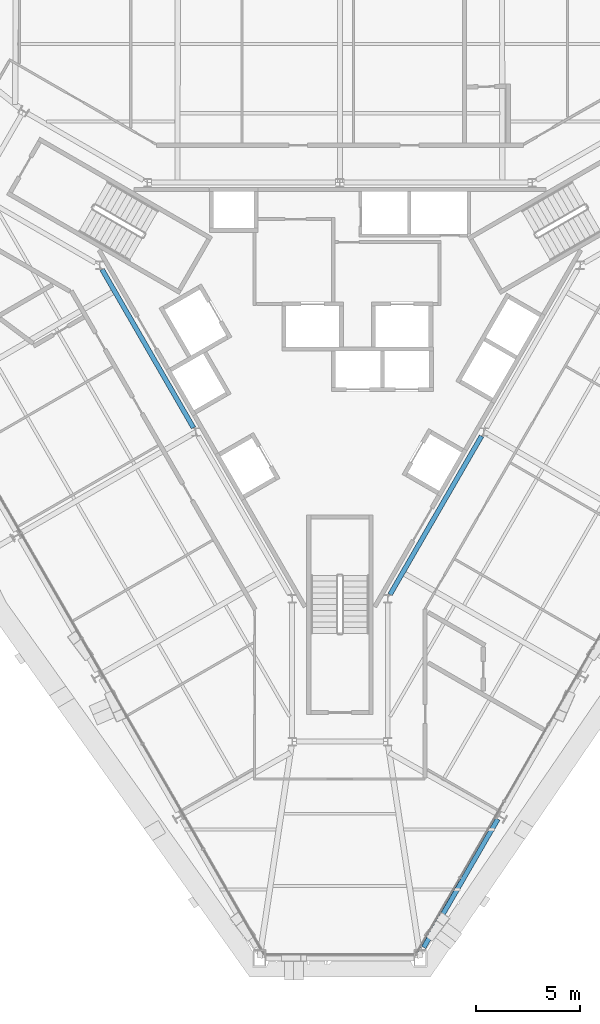
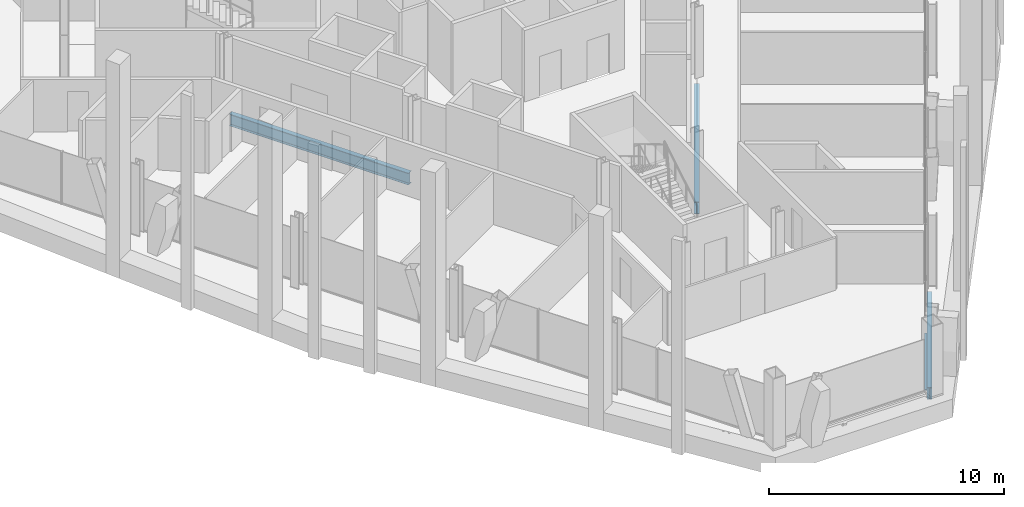
# One storey, part 5 of 17: 3 beams, 1 member, 1 element without a shape of its own.
"""IFC4 building model written with IfcOpenShell, lengths in metres."""

from ifc_helpers import new_model, si_unit, direction, frame, origin, origin_2d, place, context, subcontext, project, spatial, rectangle, i_section, extrude, material, material_profile, profile_set, type_object, element, aggregate, save


model = new_model("IFC4")

# Units and contexts
model_context = context("Model", 3, precision=1e-05, world=origin(), true_north=direction((0.0, 1.0)))
body_context = subcontext(model_context, "Body", "Model", "MODEL_VIEW")
ifc_project = project(units=[si_unit("LENGTHUNIT", "METRE"), si_unit("AREAUNIT", "SQUARE_METRE"), si_unit("VOLUMEUNIT", "CUBIC_METRE"), si_unit("PLANEANGLEUNIT", "RADIAN"), si_unit("MASSUNIT", "GRAM", prefix="KILO")], contexts=[model_context])

# Site, building, storey
site_placement = place(None, origin())
site = spatial("IfcSite", under=ifc_project, at=site_placement, CompositionType="ELEMENT")
building_placement = place(site_placement, origin())
building = spatial("IfcBuilding", under=site, at=building_placement, Name="Verrane Prism Tower", CompositionType="ELEMENT")
storey_placement = place(building_placement, frame((0.0, 0.0, 178.39990234375)))
storey = spatial("IfcBuildingStorey", under=building, at=storey_placement, Name="L44", CompositionType="ELEMENT", Elevation=178.39990234375)

# Beams
ifc_material_1 = material(Name="Steel A992", Category="steel")
ifc_material_profile_1 = material_profile(ifc_material_1, i_section(OverallWidth=0.23046875, OverallDepth=0.6171875, WebThickness=0.01318359375, FlangeThickness=0.022216796875, FilletRadius=0.012939453125, at=origin_2d()), Name="W24x94")
ifc_profile_set_1 = profile_set([ifc_material_profile_1], Name="Steel A992")
beam_type_1 = type_object("IfcBeamType", Name="Core ring girder W24x94", PredefinedType="BEAM", material=ifc_profile_set_1)
beam_1_placement = place(storey_placement, frame((-11.44482421875, 3.820556640625, -0.55859375), z_axis=(0.499967414725, -0.866044216084, 0.0), x_axis=(0.866044216084, 0.499967414725, 0.0)))
element("IfcBeam", 1, at=beam_1_placement, inside=storey, type_object=beam_type_1, Name="Core ring girder L44", PredefinedType="BEAM", context=body_context, shape_type="SweptSolid", body=[
    extrude(i_section(OverallWidth=0.23046875, OverallDepth=0.6171875, WebThickness=0.01318359375, FlangeThickness=0.022216796875, FilletRadius=0.012939453125, at=origin_2d()), origin(), (0.0, 0.0, 1.0), 8.7998046875),
])
beam_2_placement = place(storey_placement, frame((2.4150390625, -11.820556640625, -0.55859375), z_axis=(0.499988222896, 0.866032203192, 0.0), x_axis=(-0.866032203192, 0.499988222896, 0.0)))
element("IfcBeam", 2, at=beam_2_placement, inside=storey, type_object=beam_type_1, Name="Core ring girder L44", PredefinedType="BEAM", context=body_context, shape_type="SweptSolid", body=[
    extrude(i_section(OverallWidth=0.23046875, OverallDepth=0.6171875, WebThickness=0.01318359375, FlangeThickness=0.022216796875, FilletRadius=0.012939453125, at=origin_2d()), origin(), (0.0, 0.0, 1.0), 8.800048828125),
])
ifc_material_2 = material(Name="Steel A992", Category="steel")
ifc_material_profile_2 = material_profile(ifc_material_2, i_section(OverallWidth=0.23046875, OverallDepth=0.6171875, WebThickness=0.01318359375, FlangeThickness=0.022216796875, FilletRadius=0.012939453125, at=origin_2d()), Name="W24x94")
ifc_profile_set_2 = profile_set([ifc_material_profile_2], Name="Steel A992")
beam_type_2 = type_object("IfcBeamType", Name="Spandrel beam W24x94", PredefinedType="SPANDREL", material=ifc_profile_set_2)
beam_3_placement = place(storey_placement, frame((4.03515625, -28.802978515625, -0.468505859375), z_axis=(0.500097885502, 0.865968882187, 0.0), x_axis=(-0.865968882187, 0.500097885502, 0.0)))
element("IfcBeam", 3, at=beam_3_placement, inside=storey, type_object=beam_type_2, Name="Spandrel beam L44", PredefinedType="SPANDREL", context=body_context, shape_type="SweptSolid", body=[
    extrude(i_section(OverallWidth=0.23046875, OverallDepth=0.6171875, WebThickness=0.01318359375, FlangeThickness=0.022216796875, FilletRadius=0.012939453125, at=origin_2d()), origin(), (0.0, 0.0, 1.0), 7.1298828125),
])

# Curtain wall, member
ifc_material_3 = material(Name="Aluminium framed insulated glazing", Category="aluminium")
curtain_wall_type = type_object("IfcCurtainWallType", Name="Curtain wall CW-C 4200 module", PredefinedType="NOTDEFINED", material=ifc_material_3)
curtain_wall_placement = place(storey_placement, origin())
curtain_wall = element("IfcCurtainWall", 4, at=curtain_wall_placement, inside=storey, type_object=curtain_wall_type, Name="Glazed curtain wall south-east face L44", PredefinedType="NOTDEFINED")
ifc_material_4 = material(Name="Aluminium alloy 6063-T6", Category="aluminium")
ifc_material_profile_3 = material_profile(ifc_material_4, rectangle(XDim=0.10009765625, YDim=0.050048828125, at=origin_2d()), Name="Transom 50x100 aluminium")
ifc_profile_set_3 = profile_set([ifc_material_profile_3], Name="Aluminium alloy 6063-T6")
member_type = type_object("IfcMemberType", Name="Transom 50x100 aluminium", PredefinedType="USERDEFINED", material=ifc_profile_set_3)
member_placement = place(storey_placement, frame((3.67626953125, -29.094482421875, 0.025146484375), z_axis=(0.500013933422, 0.86601735917, 0.0), x_axis=(-0.86601735917, 0.500013933422, 0.0)))
member = element("IfcMember", 5, at=member_placement, type_object=member_type, Name="CW44.6 transom 1", ObjectType="TRANSOM", PredefinedType="USERDEFINED", context=body_context, shape_type="SweptSolid", body=[
    extrude(rectangle(XDim=0.10009765625, YDim=0.050048828125, at=origin_2d()), origin(), (0.0, 0.0, 1.0), 4.18115234375),
])
aggregate(curtain_wall, [member])

save(model, "model.ifc")
